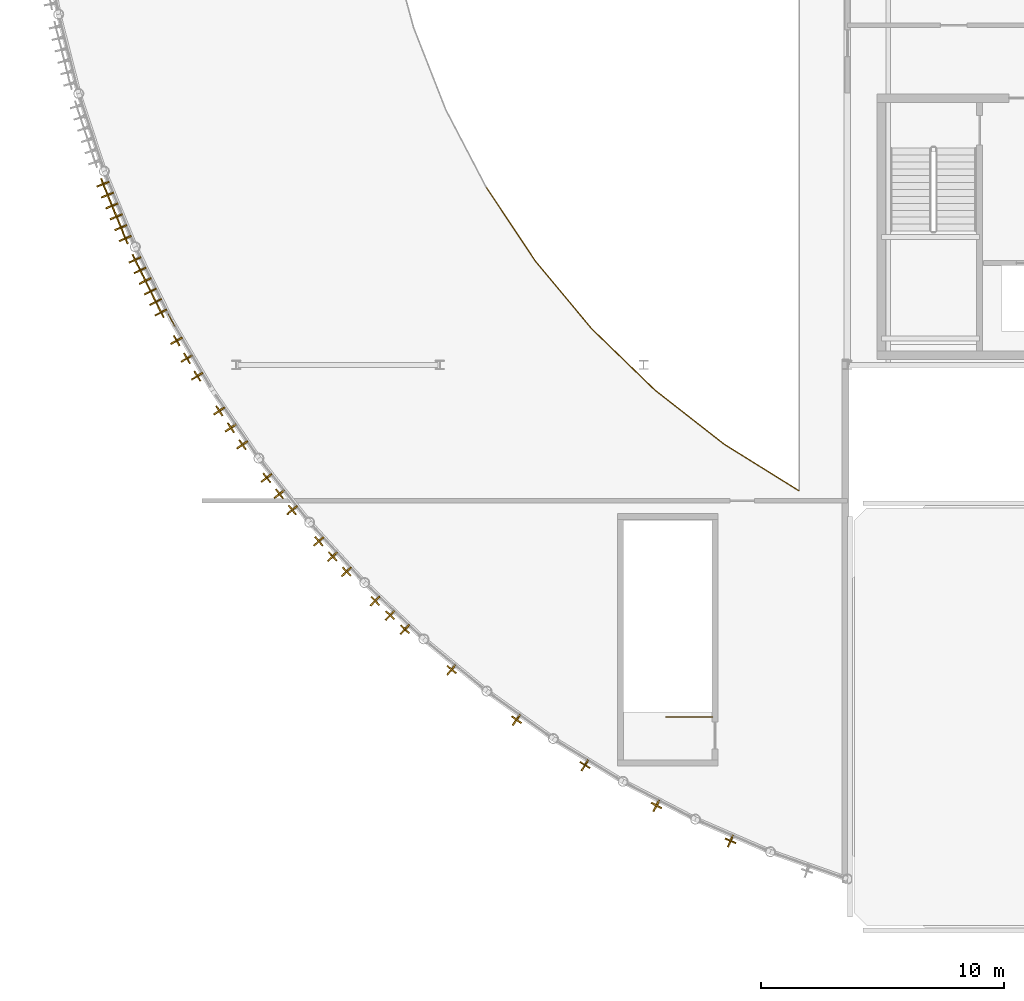
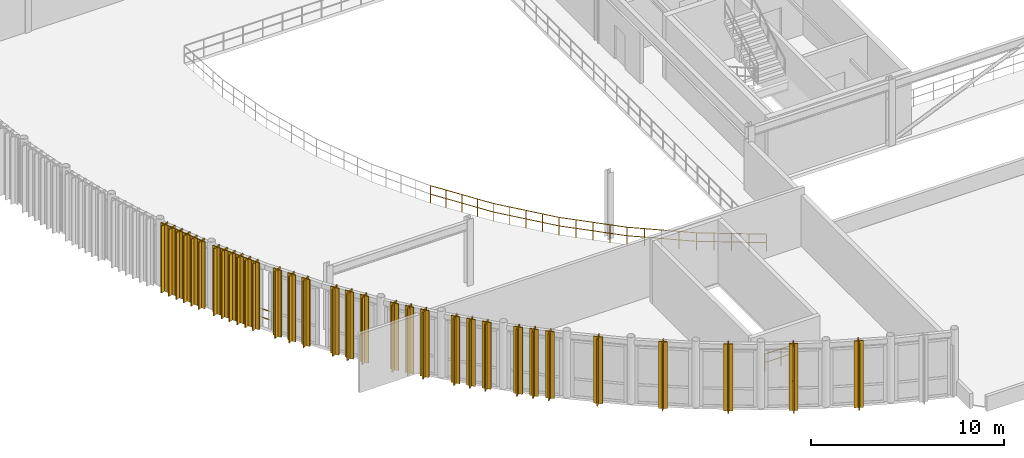
# One storey, part 47 of 54: 32 coverings, 32 shading devices, 7 railings.
"""IFC4 building model written with IfcOpenShell, lengths in metres."""

from ifc_helpers import new_model, si_unit, direction, frame, origin, origin_2d, place, context, subcontext, project, spatial, polyline, rectangle, circle, outline, extrude, material, layer, layer_set, material_profile, profile_set, type_object, element, save


model = new_model("IFC4")

# Units and contexts
model_context = context("Model", 3, precision=1e-05, world=origin(), true_north=direction((0.0, 1.0)))
body_context = subcontext(model_context, "Body", "Model", "MODEL_VIEW")
ifc_project = project(units=[si_unit("LENGTHUNIT", "METRE"), si_unit("AREAUNIT", "SQUARE_METRE"), si_unit("VOLUMEUNIT", "CUBIC_METRE"), si_unit("PLANEANGLEUNIT", "RADIAN"), si_unit("MASSUNIT", "GRAM", prefix="KILO")], contexts=[model_context])

# Site, building, storey
site_placement = place(None, origin())
site = spatial("IfcSite", under=ifc_project, at=site_placement, CompositionType="ELEMENT")
building_placement = place(site_placement, origin())
building = spatial("IfcBuilding", under=site, at=building_placement, Name="Selat Folded Stagehouse", CompositionType="ELEMENT")
storey_placement = place(building_placement, frame((0.0, 0.0, 15.0)))
storey = spatial("IfcBuildingStorey", under=building, at=storey_placement, Name="L03", CompositionType="ELEMENT", Elevation=15.0)

# Coverings
ifc_material_1 = material(Name="Bronze-anodised aluminium 6063-T6", Category="aluminium")
ifc_layer_1 = layer(ifc_material_1, 0.06005859375)
ifc_layer_set_1 = layer_set([ifc_layer_1], Name="Bronze-anodised aluminium 6063-T6")
covering_type = type_object("IfcCoveringType", Name="COV-FIN-BRZ42", PredefinedType="CLADDING", material=ifc_layer_set_1)
covering_1_placement = place(storey_placement, frame((0.0, 0.0, -0.10009765625)))
element("IfcCovering", 1, at=covering_1_placement, inside=storey, type_object=covering_type, Name="L03 drum bronze fin cladding sheath 250", PredefinedType="CLADDING", context=body_context, shape_type="SweptSolid", body=[
    extrude(outline(polyline([(3.1572265625, 30.975830078125), (2.652587890625, 30.78369140625), (2.67529296875, 30.72412109375), (3.179931640625, 30.916015625), (3.1572265625, 30.975830078125)])), origin(), (0.0, 0.0, 1.0), 4.22021484375),
])
covering_2_placement = place(storey_placement, frame((0.0, 0.0, -0.10009765625)))
element("IfcCovering", 2, at=covering_2_placement, inside=storey, type_object=covering_type, Name="L03 drum bronze fin cladding sheath 256", PredefinedType="CLADDING", context=body_context, shape_type="SweptSolid", body=[
    extrude(outline(polyline([(3.339111328125, 30.530517578125), (2.83642578125, 30.33349609375), (2.85986328125, 30.27392578125), (3.362548828125, 30.470947265625), (3.339111328125, 30.530517578125)])), origin(), (0.0, 0.0, 1.0), 4.22021484375),
])
covering_3_placement = place(storey_placement, frame((0.0, 0.0, -0.10009765625)))
element("IfcCovering", 3, at=covering_3_placement, inside=storey, type_object=covering_type, Name="L03 drum bronze fin cladding sheath 262", PredefinedType="CLADDING", context=body_context, shape_type="SweptSolid", body=[
    extrude(outline(polyline([(3.521240234375, 30.085205078125), (3.0205078125, 29.883056640625), (3.04443359375, 29.82373046875), (3.545166015625, 30.02587890625), (3.521240234375, 30.085205078125)])), origin(), (0.0, 0.0, 1.0), 4.22021484375),
])
covering_4_placement = place(storey_placement, frame((0.0, 0.0, -0.10009765625)))
element("IfcCovering", 4, at=covering_4_placement, inside=storey, type_object=covering_type, Name="L03 drum bronze fin cladding sheath 268", PredefinedType="CLADDING", context=body_context, shape_type="SweptSolid", body=[
    extrude(outline(polyline([(3.703125, 29.639892578125), (3.20458984375, 29.4326171875), (3.22900390625, 29.37353515625), (3.727783203125, 29.580810546875), (3.703125, 29.639892578125)])), origin(), (0.0, 0.0, 1.0), 4.22021484375),
])
covering_5_placement = place(storey_placement, frame((0.0, 0.0, -0.10009765625)))
element("IfcCovering", 5, at=covering_5_placement, inside=storey, type_object=covering_type, Name="L03 drum bronze fin cladding sheath 274", PredefinedType="CLADDING", context=body_context, shape_type="SweptSolid", body=[
    extrude(outline(polyline([(3.885009765625, 29.194580078125), (3.388427734375, 28.982421875), (3.413818359375, 28.923583984375), (3.910400390625, 29.135498046875), (3.885009765625, 29.194580078125)])), origin(), (0.0, 0.0, 1.0), 4.22021484375),
])
covering_6_placement = place(storey_placement, frame((0.0, 0.0, -0.10009765625)))
element("IfcCovering", 6, at=covering_6_placement, inside=storey, type_object=covering_type, Name="L03 drum bronze fin cladding sheath 280", PredefinedType="CLADDING", context=body_context, shape_type="SweptSolid", body=[
    extrude(outline(polyline([(4.067138671875, 28.7490234375), (3.57275390625, 28.531982421875), (3.598388671875, 28.473388671875), (4.0927734375, 28.6904296875), (4.067138671875, 28.7490234375)])), origin(), (0.0, 0.0, 1.0), 4.22021484375),
])
covering_7_placement = place(storey_placement, frame((0.0, 0.0, -0.10009765625)))
element("IfcCovering", 7, at=covering_7_placement, inside=storey, type_object=covering_type, Name="L03 drum bronze fin cladding sheath 286", PredefinedType="CLADDING", context=body_context, shape_type="SweptSolid", body=[
    extrude(outline(polyline([(4.4619140625, 27.872314453125), (3.9716796875, 27.6455078125), (3.998779296875, 27.58740234375), (4.48876953125, 27.814208984375), (4.4619140625, 27.872314453125)])), origin(), (0.0, 0.0, 1.0), 4.22021484375),
])
covering_8_placement = place(storey_placement, frame((0.0, 0.0, -0.10009765625)))
element("IfcCovering", 8, at=covering_8_placement, inside=storey, type_object=covering_type, Name="L03 drum bronze fin cladding sheath 292", PredefinedType="CLADDING", context=body_context, shape_type="SweptSolid", body=[
    extrude(outline(polyline([(4.674560546875, 27.44091796875), (4.18701171875, 27.208984375), (4.21435546875, 27.151123046875), (4.7021484375, 27.383056640625), (4.674560546875, 27.44091796875)])), origin(), (0.0, 0.0, 1.0), 4.22021484375),
])
covering_9_placement = place(storey_placement, frame((0.0, 0.0, -0.10009765625)))
element("IfcCovering", 9, at=covering_9_placement, inside=storey, type_object=covering_type, Name="L03 drum bronze fin cladding sheath 298", PredefinedType="CLADDING", context=body_context, shape_type="SweptSolid", body=[
    extrude(outline(polyline([(4.887451171875, 27.00927734375), (4.402099609375, 26.772705078125), (4.43017578125, 26.715087890625), (4.915283203125, 26.951904296875), (4.887451171875, 27.00927734375)])), origin(), (0.0, 0.0, 1.0), 4.22021484375),
])
covering_10_placement = place(storey_placement, frame((0.0, 0.0, -0.10009765625)))
element("IfcCovering", 10, at=covering_10_placement, inside=storey, type_object=covering_type, Name="L03 drum bronze fin cladding sheath 304", PredefinedType="CLADDING", context=body_context, shape_type="SweptSolid", body=[
    extrude(outline(polyline([(5.10009765625, 26.577880859375), (4.6171875, 26.336181640625), (4.645751953125, 26.279052734375), (5.12890625, 26.5205078125), (5.10009765625, 26.577880859375)])), origin(), (0.0, 0.0, 1.0), 4.22021484375),
])
covering_11_placement = place(storey_placement, frame((0.0, 0.0, -0.10009765625)))
element("IfcCovering", 11, at=covering_11_placement, inside=storey, type_object=covering_type, Name="L03 drum bronze fin cladding sheath 310", PredefinedType="CLADDING", context=body_context, shape_type="SweptSolid", body=[
    extrude(outline(polyline([(5.31298828125, 26.146484375), (4.83251953125, 25.89990234375), (4.861572265625, 25.843017578125), (5.342041015625, 26.08935546875), (5.31298828125, 26.146484375)])), origin(), (0.0, 0.0, 1.0), 4.22021484375),
])
covering_12_placement = place(storey_placement, frame((0.0, 0.0, -0.10009765625)))
element("IfcCovering", 12, at=covering_12_placement, inside=storey, type_object=covering_type, Name="L03 drum bronze fin cladding sheath 316", PredefinedType="CLADDING", context=body_context, shape_type="SweptSolid", body=[
    extrude(outline(polyline([(5.525634765625, 25.71484375), (5.047607421875, 25.463623046875), (5.077392578125, 25.406982421875), (5.555419921875, 25.658203125), (5.525634765625, 25.71484375)])), origin(), (0.0, 0.0, 1.0), 4.22021484375),
])
covering_13_placement = place(storey_placement, frame((0.0, 0.0, -0.10009765625)))
element("IfcCovering", 13, at=covering_13_placement, inside=storey, type_object=covering_type, Name="L03 drum bronze fin cladding sheath 322", PredefinedType="CLADDING", context=body_context, shape_type="SweptSolid", body=[
    extrude(outline(polyline([(6.162841796875, 24.556396484375), (5.69189453125, 24.2919921875), (5.72314453125, 24.236083984375), (6.194091796875, 24.50048828125), (6.162841796875, 24.556396484375)])), origin(), (0.0, 0.0, 1.0), 4.22021484375),
])
covering_14_placement = place(storey_placement, frame((0.0, 0.0, -0.10009765625)))
element("IfcCovering", 14, at=covering_14_placement, inside=storey, type_object=covering_type, Name="L03 drum bronze fin cladding sheath 328", PredefinedType="CLADDING", context=body_context, shape_type="SweptSolid", body=[
    extrude(outline(polyline([(6.587158203125, 23.8291015625), (6.12109375, 23.556640625), (6.1533203125, 23.50146484375), (6.619384765625, 23.77392578125), (6.587158203125, 23.8291015625)])), origin(), (0.0, 0.0, 1.0), 4.22021484375),
])
covering_15_placement = place(storey_placement, frame((0.0, 0.0, -0.10009765625)))
element("IfcCovering", 15, at=covering_15_placement, inside=storey, type_object=covering_type, Name="L03 drum bronze fin cladding sheath 334", PredefinedType="CLADDING", context=body_context, shape_type="SweptSolid", body=[
    extrude(outline(polyline([(7.01171875, 23.10205078125), (6.55029296875, 22.8212890625), (6.58349609375, 22.7666015625), (7.044921875, 23.04736328125), (7.01171875, 23.10205078125)])), origin(), (0.0, 0.0, 1.0), 4.22021484375),
])
covering_16_placement = place(storey_placement, frame((0.0, 0.0, -0.10009765625)))
element("IfcCovering", 16, at=covering_16_placement, inside=storey, type_object=covering_type, Name="L03 drum bronze fin cladding sheath 340", PredefinedType="CLADDING", context=body_context, shape_type="SweptSolid", body=[
    extrude(outline(polyline([(7.910400390625, 21.679443359375), (7.458984375, 21.3828125), (7.494384765625, 21.329345703125), (7.945556640625, 21.6259765625), (7.910400390625, 21.679443359375)])), origin(), (0.0, 0.0, 1.0), 4.22021484375),
])
covering_17_placement = place(storey_placement, frame((0.0, 0.0, -0.10009765625)))
element("IfcCovering", 17, at=covering_17_placement, inside=storey, type_object=covering_type, Name="L03 drum bronze fin cladding sheath 346", PredefinedType="CLADDING", context=body_context, shape_type="SweptSolid", body=[
    extrude(outline(polyline([(8.384765625, 20.98388671875), (7.938720703125, 20.67919921875), (7.974853515625, 20.62646484375), (8.4208984375, 20.930908203125), (8.384765625, 20.98388671875)])), origin(), (0.0, 0.0, 1.0), 4.22021484375),
])
covering_18_placement = place(storey_placement, frame((0.0, 0.0, -0.10009765625)))
element("IfcCovering", 18, at=covering_18_placement, inside=storey, type_object=covering_type, Name="L03 drum bronze fin cladding sheath 352", PredefinedType="CLADDING", context=body_context, shape_type="SweptSolid", body=[
    extrude(outline(polyline([(8.85888671875, 20.288330078125), (8.41845703125, 19.97607421875), (8.45556640625, 19.923828125), (8.89599609375, 20.236083984375), (8.85888671875, 20.288330078125)])), origin(), (0.0, 0.0, 1.0), 4.22021484375),
])
covering_19_placement = place(storey_placement, frame((0.0, 0.0, -0.10009765625)))
element("IfcCovering", 19, at=covering_19_placement, inside=storey, type_object=covering_type, Name="L03 drum bronze fin cladding sheath 358", PredefinedType="CLADDING", context=body_context, shape_type="SweptSolid", body=[
    extrude(outline(polyline([(9.855224609375, 18.93212890625), (9.426025390625, 18.6044921875), (9.46484375, 18.5537109375), (9.89404296875, 18.88134765625), (9.855224609375, 18.93212890625)])), origin(), (0.0, 0.0, 1.0), 4.22021484375),
])
covering_20_placement = place(storey_placement, frame((0.0, 0.0, -0.10009765625)))
element("IfcCovering", 20, at=covering_20_placement, inside=storey, type_object=covering_type, Name="L03 drum bronze fin cladding sheath 364", PredefinedType="CLADDING", context=body_context, shape_type="SweptSolid", body=[
    extrude(outline(polyline([(10.377197265625, 18.271484375), (9.953857421875, 17.9365234375), (9.993408203125, 17.88623046875), (10.4169921875, 18.221435546875), (10.377197265625, 18.271484375)])), origin(), (0.0, 0.0, 1.0), 4.22021484375),
])
covering_21_placement = place(storey_placement, frame((0.0, 0.0, -0.10009765625)))
element("IfcCovering", 21, at=covering_21_placement, inside=storey, type_object=covering_type, Name="L03 drum bronze fin cladding sheath 370", PredefinedType="CLADDING", context=body_context, shape_type="SweptSolid", body=[
    extrude(outline(polyline([(10.899169921875, 17.611083984375), (10.481689453125, 17.2685546875), (10.522216796875, 17.218994140625), (10.939697265625, 17.5615234375), (10.899169921875, 17.611083984375)])), origin(), (0.0, 0.0, 1.0), 4.22021484375),
])
covering_22_placement = place(storey_placement, frame((0.0, 0.0, -0.10009765625)))
element("IfcCovering", 22, at=covering_22_placement, inside=storey, type_object=covering_type, Name="L03 drum bronze fin cladding sheath 376", PredefinedType="CLADDING", context=body_context, shape_type="SweptSolid", body=[
    extrude(outline(polyline([(11.98828125, 16.328125), (11.5830078125, 15.97119140625), (11.625244140625, 15.923095703125), (12.030517578125, 16.280029296875), (11.98828125, 16.328125)])), origin(), (0.0, 0.0, 1.0), 4.22021484375),
])
covering_23_placement = place(storey_placement, frame((0.0, 0.0, -0.10009765625)))
element("IfcCovering", 23, at=covering_23_placement, inside=storey, type_object=covering_type, Name="L03 drum bronze fin cladding sheath 382", PredefinedType="CLADDING", context=body_context, shape_type="SweptSolid", body=[
    extrude(outline(polyline([(12.555419921875, 15.705810546875), (12.15625, 15.341796875), (12.199462890625, 15.294677734375), (12.598388671875, 15.658447265625), (12.555419921875, 15.705810546875)])), origin(), (0.0, 0.0, 1.0), 4.22021484375),
])
covering_24_placement = place(storey_placement, frame((0.0, 0.0, -0.10009765625)))
element("IfcCovering", 24, at=covering_24_placement, inside=storey, type_object=covering_type, Name="L03 drum bronze fin cladding sheath 388", PredefinedType="CLADDING", context=body_context, shape_type="SweptSolid", body=[
    extrude(outline(polyline([(13.122314453125, 15.08349609375), (12.729736328125, 14.712646484375), (12.773681640625, 14.666015625), (13.166259765625, 15.037109375), (13.122314453125, 15.08349609375)])), origin(), (0.0, 0.0, 1.0), 4.22021484375),
])
covering_25_placement = place(storey_placement, frame((0.0, 0.0, -0.10009765625)))
element("IfcCovering", 25, at=covering_25_placement, inside=storey, type_object=covering_type, Name="L03 drum bronze fin cladding sheath 394", PredefinedType="CLADDING", context=body_context, shape_type="SweptSolid", body=[
    extrude(outline(polyline([(14.298583984375, 13.880126953125), (13.919189453125, 13.49560546875), (13.96484375, 13.45068359375), (14.343994140625, 13.835205078125), (14.298583984375, 13.880126953125)])), origin(), (0.0, 0.0, 1.0), 4.22021484375),
])
covering_26_placement = place(storey_placement, frame((0.0, 0.0, -0.10009765625)))
element("IfcCovering", 26, at=covering_26_placement, inside=storey, type_object=covering_type, Name="L03 drum bronze fin cladding sheath 400", PredefinedType="CLADDING", context=body_context, shape_type="SweptSolid", body=[
    extrude(outline(polyline([(14.90771484375, 13.299072265625), (14.535400390625, 12.908203125), (14.581787109375, 12.864013671875), (14.9541015625, 13.2548828125), (14.90771484375, 13.299072265625)])), origin(), (0.0, 0.0, 1.0), 4.22021484375),
])
covering_27_placement = place(storey_placement, frame((0.0, 0.0, -0.10009765625)))
element("IfcCovering", 27, at=covering_27_placement, inside=storey, type_object=covering_type, Name="L03 drum bronze fin cladding sheath 406", PredefinedType="CLADDING", context=body_context, shape_type="SweptSolid", body=[
    extrude(outline(polyline([(15.51708984375, 12.718017578125), (15.151611328125, 12.320556640625), (15.19873046875, 12.277099609375), (15.564208984375, 12.6748046875), (15.51708984375, 12.718017578125)])), origin(), (0.0, 0.0, 1.0), 4.22021484375),
])
covering_28_placement = place(storey_placement, frame((0.0, 0.0, -0.10009765625)))
element("IfcCovering", 28, at=covering_28_placement, inside=storey, type_object=covering_type, Name="L03 drum bronze fin cladding sheath 412", PredefinedType="CLADDING", context=body_context, shape_type="SweptSolid", body=[
    extrude(outline(polyline([(17.42333984375, 11.0634765625), (17.079345703125, 10.647216796875), (17.128662109375, 10.6064453125), (17.47265625, 11.022705078125), (17.42333984375, 11.0634765625)])), origin(), (0.0, 0.0, 1.0), 4.22021484375),
])
covering_29_placement = place(storey_placement, frame((0.0, 0.0, -0.10009765625)))
element("IfcCovering", 29, at=covering_29_placement, inside=storey, type_object=covering_type, Name="L03 drum bronze fin cladding sheath 416", PredefinedType="CLADDING", context=body_context, shape_type="SweptSolid", body=[
    extrude(outline(polyline([(20.089599609375, 9.009521484375), (19.775634765625, 8.5703125), (19.82763671875, 8.533203125), (20.1416015625, 8.972412109375), (20.089599609375, 9.009521484375)])), origin(), (0.0, 0.0, 1.0), 4.22021484375),
])
covering_30_placement = place(storey_placement, frame((0.0, 0.0, -0.10009765625)))
element("IfcCovering", 30, at=covering_30_placement, inside=storey, type_object=covering_type, Name="L03 drum bronze fin cladding sheath 420", PredefinedType="CLADDING", context=body_context, shape_type="SweptSolid", body=[
    extrude(outline(polyline([(22.893310546875, 7.147705078125), (22.61083984375, 6.6875), (22.665283203125, 6.654052734375), (22.94775390625, 7.114501953125), (22.893310546875, 7.147705078125)])), origin(), (0.0, 0.0, 1.0), 4.22021484375),
])
covering_31_placement = place(storey_placement, frame((0.0, 0.0, -0.10009765625)))
element("IfcCovering", 31, at=covering_31_placement, inside=storey, type_object=covering_type, Name="L03 drum bronze fin cladding sheath 424", PredefinedType="CLADDING", context=body_context, shape_type="SweptSolid", body=[
    extrude(outline(polyline([(25.82080078125, 5.4873046875), (25.5712890625, 5.00830078125), (25.6279296875, 4.97900390625), (25.87744140625, 5.457763671875), (25.82080078125, 5.4873046875)])), origin(), (0.0, 0.0, 1.0), 4.22021484375),
])
covering_32_placement = place(storey_placement, frame((0.0, 0.0, -0.10009765625)))
element("IfcCovering", 32, at=covering_32_placement, inside=storey, type_object=covering_type, Name="L03 drum bronze fin cladding sheath 428", PredefinedType="CLADDING", context=body_context, shape_type="SweptSolid", body=[
    extrude(outline(polyline([(28.857421875, 4.036376953125), (28.64208984375, 3.541015625), (28.70068359375, 3.515625), (28.916015625, 4.0107421875), (28.857421875, 4.036376953125)])), origin(), (0.0, 0.0, 1.0), 4.22021484375),
])

# Railings
ifc_material_2 = material(Name="Bronze-anodised steel balustrade", Category="steel")
ifc_layer_2 = layer(ifc_material_2, 0.06494140625)
ifc_layer_set_2 = layer_set([ifc_layer_2], Name="Bronze-anodised steel balustrade")
railing_type = type_object("IfcRailingType", Name="RLG-BAL-1120", PredefinedType="BALUSTRADE", material=ifc_layer_set_2)
railing_1_placement = place(storey_placement, frame((31.60009765625, 18.216796875, 0.0)))
element("IfcRailing", 33, at=railing_1_placement, inside=storey, type_object=railing_type, Name="L03 protective guard railing 099", PredefinedType="BALUSTRADE", context=body_context, shape_type="SweptSolid", body=[
    extrude(circle(Radius=0.02392578125, at=origin_2d()), frame((0.0, 0.0, 1.09619140625), z_axis=(-0.849025073785, 0.528352556618, 0.0), x_axis=(-0.528352556618, -0.849025073785, 0.0)), (0.0, 0.0, 1.0), 3.627685546875),
    extrude(circle(Radius=0.02392578125, at=origin_2d()), frame((0.0, 0.0, 0.56005859375), z_axis=(-0.849025073785, 0.528352556618, 0.0), x_axis=(-0.528352556618, -0.849025073785, 0.0)), (0.0, 0.0, 1.0), 3.627685546875),
    extrude(circle(Radius=0.02099609375, at=origin_2d()), origin(), (0.0, 0.0, 1.0), 1.072021484375),
    extrude(circle(Radius=0.02099609375, at=origin_2d()), frame((-0.77001953125, 0.479248046875, 0.0)), (0.0, 0.0, 1.0), 1.072021484375),
    extrude(circle(Radius=0.02099609375, at=origin_2d()), frame((-1.5400390625, 0.95849609375, 0.0)), (0.0, 0.0, 1.0), 1.072021484375),
    extrude(circle(Radius=0.02099609375, at=origin_2d()), frame((-2.31005859375, 1.4375, 0.0)), (0.0, 0.0, 1.0), 1.072021484375),
    extrude(circle(Radius=0.02099609375, at=origin_2d()), frame((-3.080078125, 1.916748046875, 0.0)), (0.0, 0.0, 1.0), 1.072021484375),
])
railing_2_placement = place(storey_placement, frame((28.52001953125, 20.133544921875, 0.0)))
element("IfcRailing", 34, at=railing_2_placement, inside=storey, type_object=railing_type, Name="L03 protective guard railing 100", PredefinedType="BALUSTRADE", context=body_context, shape_type="SweptSolid", body=[
    extrude(circle(Radius=0.02392578125, at=origin_2d()), frame((0.0, 0.0, 1.09619140625), z_axis=(-0.787838634628, 0.61588171412, 0.0), x_axis=(-0.61588171412, -0.787838634628, 0.0)), (0.0, 0.0, 1.0), 3.62744140625),
    extrude(circle(Radius=0.02392578125, at=origin_2d()), frame((0.0, 0.0, 0.56005859375), z_axis=(-0.787838634628, 0.61588171412, 0.0), x_axis=(-0.61588171412, -0.787838634628, 0.0)), (0.0, 0.0, 1.0), 3.62744140625),
    extrude(circle(Radius=0.02099609375, at=origin_2d()), origin(), (0.0, 0.0, 1.0), 1.072021484375),
    extrude(circle(Radius=0.02099609375, at=origin_2d()), frame((-0.71435546875, 0.55859375, 0.0)), (0.0, 0.0, 1.0), 1.072021484375),
    extrude(circle(Radius=0.02099609375, at=origin_2d()), frame((-1.428955078125, 1.1171875, 0.0)), (0.0, 0.0, 1.0), 1.072021484375),
    extrude(circle(Radius=0.02099609375, at=origin_2d()), frame((-2.1435546875, 1.675537109375, 0.0)), (0.0, 0.0, 1.0), 1.072021484375),
    extrude(circle(Radius=0.02099609375, at=origin_2d()), frame((-2.85791015625, 2.234130859375, 0.0)), (0.0, 0.0, 1.0), 1.072021484375),
])
railing_3_placement = place(storey_placement, frame((25.662109375, 22.36767578125, 0.0)))
element("IfcRailing", 35, at=railing_3_placement, inside=storey, type_object=railing_type, Name="L03 protective guard railing 101", PredefinedType="BALUSTRADE", context=body_context, shape_type="SweptSolid", body=[
    extrude(circle(Radius=0.02392578125, at=origin_2d()), frame((0.0, 0.0, 1.09619140625), z_axis=(-0.717759726188, 0.696290869868, 0.0), x_axis=(-0.696290869868, -0.717759726188, 0.0)), (0.0, 0.0, 1.0), 3.627685546875),
    extrude(circle(Radius=0.02392578125, at=origin_2d()), frame((0.0, 0.0, 0.56005859375), z_axis=(-0.717759726188, 0.696290869868, 0.0), x_axis=(-0.696290869868, -0.717759726188, 0.0)), (0.0, 0.0, 1.0), 3.627685546875),
    extrude(circle(Radius=0.02099609375, at=origin_2d()), origin(), (0.0, 0.0, 1.0), 1.072021484375),
    extrude(circle(Radius=0.02099609375, at=origin_2d()), frame((-0.65087890625, 0.63134765625, 0.0)), (0.0, 0.0, 1.0), 1.072021484375),
    extrude(circle(Radius=0.02099609375, at=origin_2d()), frame((-1.3017578125, 1.262939453125, 0.0)), (0.0, 0.0, 1.0), 1.072021484375),
    extrude(circle(Radius=0.02099609375, at=origin_2d()), frame((-1.952880859375, 1.89453125, 0.0)), (0.0, 0.0, 1.0), 1.072021484375),
    extrude(circle(Radius=0.02099609375, at=origin_2d()), frame((-2.603759765625, 2.52587890625, 0.0)), (0.0, 0.0, 1.0), 1.072021484375),
])
railing_4_placement = place(storey_placement, frame((23.058349609375, 24.8935546875, 0.0)))
element("IfcRailing", 36, at=railing_4_placement, inside=storey, type_object=railing_type, Name="L03 protective guard railing 102", PredefinedType="BALUSTRADE", context=body_context, shape_type="SweptSolid", body=[
    extrude(circle(Radius=0.02392578125, at=origin_2d()), frame((0.0, 0.0, 1.09619140625), z_axis=(-0.639542077712, 0.768756093202, 0.0), x_axis=(-0.768756093202, -0.639542077712, 0.0)), (0.0, 0.0, 1.0), 3.627685546875),
    extrude(circle(Radius=0.02392578125, at=origin_2d()), frame((0.0, 0.0, 0.56005859375), z_axis=(-0.639542077712, 0.768756093202, 0.0), x_axis=(-0.768756093202, -0.639542077712, 0.0)), (0.0, 0.0, 1.0), 3.627685546875),
    extrude(circle(Radius=0.02099609375, at=origin_2d()), origin(), (0.0, 0.0, 1.0), 1.072021484375),
    extrude(circle(Radius=0.02099609375, at=origin_2d()), frame((-0.580078125, 0.697265625, 0.0)), (0.0, 0.0, 1.0), 1.072021484375),
    extrude(circle(Radius=0.02099609375, at=origin_2d()), frame((-1.16015625, 1.39453125, 0.0)), (0.0, 0.0, 1.0), 1.072021484375),
    extrude(circle(Radius=0.02099609375, at=origin_2d()), frame((-1.739990234375, 2.091552734375, 0.0)), (0.0, 0.0, 1.0), 1.072021484375),
    extrude(circle(Radius=0.02099609375, at=origin_2d()), frame((-2.320068359375, 2.788818359375, 0.0)), (0.0, 0.0, 1.0), 1.072021484375),
])
railing_5_placement = place(storey_placement, frame((20.73828125, 27.682373046875, 0.0)))
element("IfcRailing", 37, at=railing_5_placement, inside=storey, type_object=railing_type, Name="L03 protective guard railing 103", PredefinedType="BALUSTRADE", context=body_context, shape_type="SweptSolid", body=[
    extrude(circle(Radius=0.02392578125, at=origin_2d()), frame((0.0, 0.0, 1.09619140625), z_axis=(-0.553892315508, 0.832588315328, 0.0), x_axis=(-0.832588315328, -0.553892315508, 0.0)), (0.0, 0.0, 1.0), 3.62744140625),
    extrude(circle(Radius=0.02392578125, at=origin_2d()), frame((0.0, 0.0, 0.56005859375), z_axis=(-0.553892315508, 0.832588315328, 0.0), x_axis=(-0.832588315328, -0.553892315508, 0.0)), (0.0, 0.0, 1.0), 3.62744140625),
    extrude(circle(Radius=0.02099609375, at=origin_2d()), origin(), (0.0, 0.0, 1.0), 1.072021484375),
    extrude(circle(Radius=0.02099609375, at=origin_2d()), frame((-0.50244140625, 0.755126953125, 0.0)), (0.0, 0.0, 1.0), 1.072021484375),
    extrude(circle(Radius=0.02099609375, at=origin_2d()), frame((-1.004638671875, 1.51025390625, 0.0)), (0.0, 0.0, 1.0), 1.072021484375),
    extrude(circle(Radius=0.02099609375, at=origin_2d()), frame((-1.5068359375, 2.26513671875, 0.0)), (0.0, 0.0, 1.0), 1.072021484375),
    extrude(circle(Radius=0.02099609375, at=origin_2d()), frame((-2.00927734375, 3.020263671875, 0.0)), (0.0, 0.0, 1.0), 1.072021484375),
])
railing_6_placement = place(storey_placement, frame((5.89990234375, 24.949951171875, 0.0)))
element("IfcRailing", 38, at=railing_6_placement, inside=storey, type_object=railing_type, Name="L03 drum mullion step guard", PredefinedType="BALUSTRADE", context=body_context, shape_type="SweptSolid", body=[
    extrude(circle(Radius=0.02392578125, at=origin_2d()), frame((0.0, 0.0, 1.09619140625), z_axis=(-0.473863173151, 0.880598485765, 0.0), x_axis=(-0.880598485765, -0.473863173151, 0.0)), (0.0, 0.0, 1.0), 0.73828125),
    extrude(circle(Radius=0.02392578125, at=origin_2d()), frame((0.0, 0.0, 0.56005859375), z_axis=(-0.473863173151, 0.880598485765, 0.0), x_axis=(-0.880598485765, -0.473863173151, 0.0)), (0.0, 0.0, 1.0), 0.73828125),
    extrude(circle(Radius=0.02099609375, at=origin_2d()), origin(), (0.0, 0.0, 1.0), 1.072021484375),
    extrude(circle(Radius=0.02099609375, at=origin_2d()), frame((-0.349853515625, 0.650146484375, 0.0)), (0.0, 0.0, 1.0), 1.072021484375),
])
railing_7_placement = place(storey_placement, frame((28.0400390625, 8.889892578125, 0.0)))
element("IfcRailing", 39, at=railing_7_placement, inside=storey, type_object=railing_type, Name="L03 ST-09 top well guard 1", PredefinedType="BALUSTRADE", context=body_context, shape_type="SweptSolid", body=[
    extrude(circle(Radius=0.02392578125, at=origin_2d()), frame((0.0, 0.0, 1.09619140625), z_axis=(-1.0, 0.0, 0.0), x_axis=(0.0, -1.0, 0.0)), (0.0, 0.0, 1.0), 1.919921875),
    extrude(circle(Radius=0.02392578125, at=origin_2d()), frame((0.0, 0.0, 0.56005859375), z_axis=(-1.0, 0.0, 0.0), x_axis=(0.0, -1.0, 0.0)), (0.0, 0.0, 1.0), 1.919921875),
    extrude(circle(Radius=0.02099609375, at=origin_2d()), origin(), (0.0, 0.0, 1.0), 1.072021484375),
    extrude(circle(Radius=0.02099609375, at=origin_2d()), frame((-0.9599609375, 0.0, 0.0)), (0.0, 0.0, 1.0), 1.072021484375),
    extrude(circle(Radius=0.02099609375, at=origin_2d()), frame((-1.919921875, 0.0, 0.0)), (0.0, 0.0, 1.0), 1.072021484375),
])

# Shading devices
ifc_material_profile = material_profile(ifc_material_1, rectangle(XDim=0.06005859375, YDim=0.47998046875, at=origin_2d()), Name="SOLAR-FIN 480x60")
ifc_profile_set = profile_set([ifc_material_profile], Name="Bronze-anodised aluminium 6063-T6")
shading_device_type = type_object("IfcShadingDeviceType", Name="SHD-FIN-480x60", PredefinedType="USERDEFINED", material=ifc_profile_set)
for number, where, z_axis, x_axis, name in (
    (40, (2.925537109375, 30.853515625, -0.10009765625), (0.0, 0.0, 1.0), (-0.93463961469, -0.355596387288, 0.0), "L03 drum vertical bronze solar fin 250"),
    (41, (3.10888671875, 30.40576171875, -0.10009765625), (0.0, 0.0, 1.0), (-0.931055815863, -0.364876784338, 0.0), "L03 drum vertical bronze solar fin 256"),
    (42, (3.2919921875, 29.958251953125, -0.10009765625), (0.0, 0.0, 1.0), (-0.927314560446, -0.374282922379, 0.0), "L03 drum vertical bronze solar fin 262"),
    (43, (3.475341796875, 29.510498046875, -0.10009765625), (0.0, 0.0, 1.0), (-0.923545226472, -0.383489523534, 0.0), "L03 drum vertical bronze solar fin 268"),
    (44, (3.65869140625, 29.06298828125, -0.10009765625), (0.0, 0.0, 1.0), (-0.91961594401, -0.392818680211, 0.0), "L03 drum vertical bronze solar fin 274"),
    (45, (3.841796875, 28.615234375, -0.10009765625), (0.0, 0.0, 1.0), (-0.91566259334, -0.401947776656, 0.0), "L03 drum vertical bronze solar fin 280"),
    (46, (4.239501953125, 27.73388671875, -0.10009765625), (0.0, 0.0, 1.0), (-0.907411091929, -0.420244107924, 0.0), "L03 drum vertical bronze solar fin 286"),
    (47, (4.45361328125, 27.30029296875, -0.10009765625), (0.0, 0.0, 1.0), (-0.903185511225, -0.429250430767, 0.0), "L03 drum vertical bronze solar fin 292"),
    (48, (4.667724609375, 26.86669921875, -0.10009765625), (0.0, 0.0, 1.0), (-0.898794046299, -0.438371146789, 0.0), "L03 drum vertical bronze solar fin 298"),
    (49, (4.8818359375, 26.432861328125, -0.10009765625), (0.0, 0.0, 1.0), (-0.89438856037, -0.447290848419, 0.0), "L03 drum vertical bronze solar fin 304"),
    (50, (5.09619140625, 25.999267578125, -0.10009765625), (0.0, 0.0, 1.0), (-0.889814927768, -0.4563215909, 0.0), "L03 drum vertical bronze solar fin 310"),
    (51, (5.310302734375, 25.565673828125, -0.10009765625), (0.0, 0.0, 1.0), (-0.885231311332, -0.465151078077, 0.0), "L03 drum vertical bronze solar fin 316"),
    (52, (5.951904296875, 24.401123046875, -0.10009765625), (0.0, 0.0, 1.0), (-0.872069272432, -0.489382451749, 0.0), "L03 drum vertical bronze solar fin 322"),
    (53, (6.37890625, 23.67041015625, -0.10009765625), (0.0, 0.0, 1.0), (-0.863307480775, -0.504678307081, 0.0), "L03 drum vertical bronze solar fin 328"),
    (54, (6.80615234375, 22.939697265625, -0.10009765625), (0.0, 0.0, 1.0), (-0.854368143929, -0.519668235165, 0.0), "L03 drum vertical bronze solar fin 334"),
    (55, (7.710693359375, 21.509765625, -0.10009765625), (0.0, 0.0, 1.0), (-0.835615665335, -0.549314536351, 0.0), "L03 drum vertical bronze solar fin 340"),
    (56, (8.18798828125, 20.810791015625, -0.10009765625), (0.0, 0.0, 1.0), (-0.82580311972, -0.563958515726, 0.0), "L03 drum vertical bronze solar fin 346"),
    (57, (8.665283203125, 20.11181640625, -0.10009765625), (0.0, 0.0, 1.0), (-0.815733970499, -0.578427255041, 0.0), "L03 drum vertical bronze solar fin 352"),
    (58, (9.66796875, 18.7490234375, -0.10009765625), (0.0, 0.0, 1.0), (-0.794944353388, -0.606682351002, 0.0), "L03 drum vertical bronze solar fin 358"),
    (59, (10.193115234375, 18.085205078125, -0.10009765625), (0.0, 0.0, 1.0), (-0.784235212544, -0.620463642292, 0.0), "L03 drum vertical bronze solar fin 364"),
    (60, (10.718505859375, 17.42138671875, -0.10009765625), (0.0, 0.0, 1.0), (-0.773176510644, -0.634190888762, 0.0), "L03 drum vertical bronze solar fin 370"),
    (61, (11.814208984375, 16.13232421875, -0.10009765625), (0.0, 0.0, 1.0), (-0.750457228874, -0.660919017453, 0.0), "L03 drum vertical bronze solar fin 376"),
    (62, (12.384765625, 15.5068359375, -0.10009765625), (0.0, 0.0, 1.0), (-0.738690671568, -0.674044576967, 0.0), "L03 drum vertical bronze solar fin 382"),
    (63, (12.955322265625, 14.881591796875, -0.10009765625), (0.0, 0.0, 1.0), (-0.726814465487, -0.686833846544, 0.0), "L03 drum vertical bronze solar fin 388"),
    (64, (14.138916015625, 13.672607421875, -0.10009765625), (0.0, 0.0, 1.0), (-0.702277314289, -0.711903486321, 0.0), "L03 drum vertical bronze solar fin 394"),
    (65, (14.751708984375, 13.0888671875, -0.10009765625), (0.0, 0.0, 1.0), (-0.689619543736, -0.724171861437, 0.0), "L03 drum vertical bronze solar fin 400"),
    (66, (15.36474609375, 12.5048828125, -0.10009765625), (0.0, 0.0, 1.0), (-0.676875969683, -0.73609708712, 0.0), "L03 drum vertical bronze solar fin 406"),
    (67, (17.282470703125, 10.842529296875, -0.10009765625), (0.0, 0.0, 1.0), (-0.63715499106, -0.770735698776, 0.0), "L03 drum vertical bronze solar fin 412"),
    (68, (19.96435546875, 8.779541015625, -0.10009765625), (0.0, 0.0, 1.0), (-0.581555176926, -0.813506961366, 0.0), "L03 drum vertical bronze solar fin 416"),
    (69, (22.78466796875, 6.909423828125, -0.10009765625), (0.0, 0.0, 1.0), (-0.523093692466, -0.852275183789, 0.0), "L03 drum vertical bronze solar fin 420"),
    (70, (25.72900390625, 5.241943359375, -0.10009765625), (0.0, 0.0, 1.0), (-0.461903418797, -0.886930229333, 0.0), "L03 drum vertical bronze solar fin 424"),
    (71, (28.782958984375, 3.78515625, -0.10009765625), (0.0, 0.0, 1.0), (-0.398589005675, -0.917129655259, 0.0), "L03 drum vertical bronze solar fin 428"),
):
    element("IfcShadingDevice", number, at=place(storey_placement, frame(where, z_axis=z_axis, x_axis=x_axis)), inside=storey, type_object=shading_device_type, Name=name, ObjectType="FIN", PredefinedType="USERDEFINED", context=body_context, shape_type="SweptSolid", body=[
        extrude(rectangle(XDim=0.06005859375, YDim=0.47998046875, at=origin_2d()), origin(), (0.0, 0.0, 1.0), 4.22021484375),
    ])

save(model, "model.ifc")
